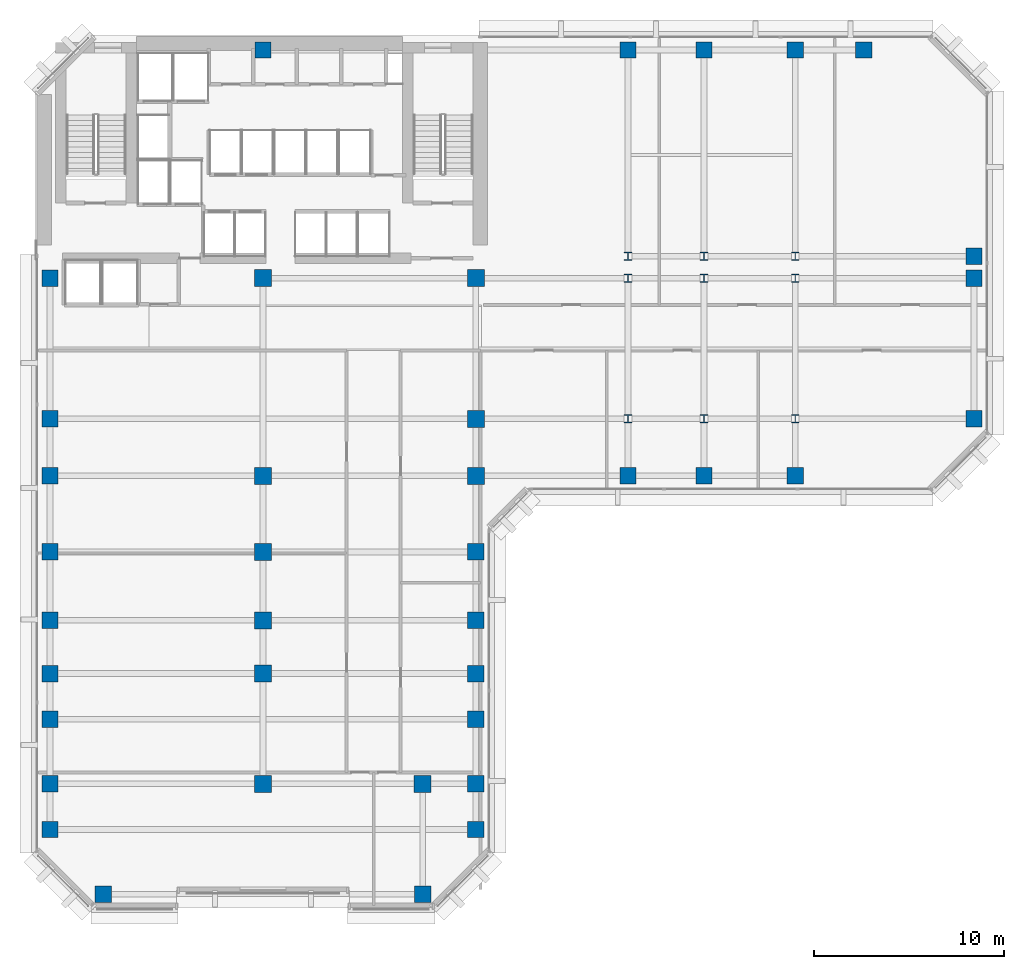
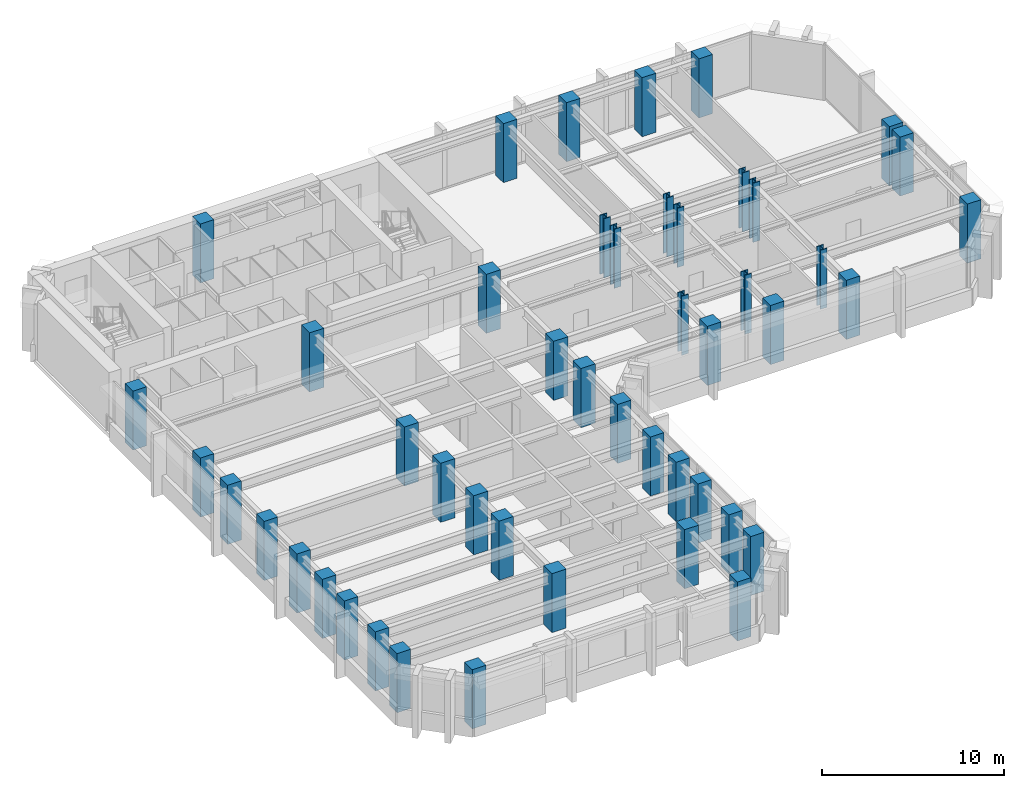
# One storey, part 1 of 12: 47 columns.
"""IFC4 building model written with IfcOpenShell, lengths in metres."""

from ifc_helpers import new_model, si_unit, direction, frame, origin, origin_2d, place, context, subcontext, project, spatial, rectangle, i_section, extrude, material, material_profile, profile_set, type_object, element, save


model = new_model("IFC4")

# Units and contexts
model_context = context("Model", 3, precision=1e-05, world=origin(), true_north=direction((0.0, 1.0)))
body_context = subcontext(model_context, "Body", "Model", "MODEL_VIEW")
ifc_project = project(units=[si_unit("LENGTHUNIT", "METRE"), si_unit("AREAUNIT", "SQUARE_METRE"), si_unit("VOLUMEUNIT", "CUBIC_METRE"), si_unit("PLANEANGLEUNIT", "RADIAN"), si_unit("MASSUNIT", "GRAM", prefix="KILO")], contexts=[model_context])

# Site, building, storey
site_placement = place(None, origin())
site = spatial("IfcSite", under=ifc_project, at=site_placement, CompositionType="ELEMENT")
building_placement = place(site_placement, origin())
building = spatial("IfcBuilding", under=site, at=building_placement, Name="Kefirva Bronze Tower", CompositionType="ELEMENT")
storey_placement = place(building_placement, frame((0.0, 0.0, 118.469970703125)))
storey = spatial("IfcBuildingStorey", under=building, at=storey_placement, Name="L28", CompositionType="ELEMENT", Elevation=118.469970703125)

# Columns
ifc_material_1 = material(Name="Concrete C60/75", Category="concrete")
ifc_material_profile_1 = material_profile(ifc_material_1, rectangle(XDim=0.860107421875, YDim=0.860107421875, at=origin_2d()), Name="RC 860x860")
ifc_profile_set_1 = profile_set([ifc_material_profile_1], Name="Concrete C60/75")
column_type_1 = type_object("IfcColumnType", Name="RC Column 860x860 Ext", PredefinedType="COLUMN", material=ifc_profile_set_1)
for number, where, z_axis, x_axis, name in (
    (1, (0.800048828125, 4.199951171875, 0.0), (0.0, 0.0, 1.0), (1.0, 0.0, 0.0), "L28 Column C008_042"),
    (2, (0.800048828125, 6.60009765625, 0.0), (0.0, 0.0, 1.0), (1.0, 0.0, 0.0), "L28 Column C008_066"),
    (3, (0.800048828125, 10.0, 0.0), (0.0, 0.0, 1.0), (1.0, 0.0, 0.0), "L28 Column C008_100"),
    (4, (0.800048828125, 12.39990234375, 0.0), (0.0, 0.0, 1.0), (1.0, 0.0, 0.0), "L28 Column C008_124"),
    (5, (0.800048828125, 15.199951171875, 0.0), (0.0, 0.0, 1.0), (1.0, 0.0, 0.0), "L28 Column C008_152"),
    (6, (0.800048828125, 18.800048828125, 0.0), (0.0, 0.0, 1.0), (1.0, 0.0, 0.0), "L28 Column C008_188"),
    (7, (0.800048828125, 22.800048828125, 0.0), (0.0, 0.0, 1.0), (1.0, 0.0, 0.0), "L28 Column C008_228"),
    (8, (0.800048828125, 25.800048828125, 0.0), (0.0, 0.0, 1.0), (1.0, 0.0, 0.0), "L28 Column C008_258"),
    (9, (0.800048828125, 33.199951171875, 0.0), (0.0, 0.0, 1.0), (1.0, 0.0, 0.0), "L28 Column C008_332"),
    (10, (3.60009765625, 0.800048828125, 0.0), (0.0, 0.0, 1.0), (1.0, 0.0, 0.0), "L28 Column C036_008"),
    (11, (12.0, 45.199951171875, 0.0), (0.0, 0.0, 1.0), (1.0, 0.0, 0.0), "L28 Column C120_452"),
    (12, (20.39990234375, 0.800048828125, 0.0), (0.0, 0.0, 1.0), (1.0, 0.0, 0.0), "L28 Column C204_008"),
    (13, (23.199951171875, 4.199951171875, 0.0), (0.0, 0.0, 1.0), (1.0, 0.0, 0.0), "L28 Column C232_042"),
    (14, (23.199951171875, 6.60009765625, 0.0), (0.0, 0.0, 1.0), (1.0, 0.0, 0.0), "L28 Column C232_066"),
    (15, (23.199951171875, 10.0, 0.0), (0.0, 0.0, 1.0), (1.0, 0.0, 0.0), "L28 Column C232_100"),
    (16, (23.199951171875, 12.39990234375, 0.0), (0.0, 0.0, 1.0), (1.0, 0.0, 0.0), "L28 Column C232_124"),
    (17, (23.199951171875, 15.199951171875, 0.0), (0.0, 0.0, 1.0), (1.0, 0.0, 0.0), "L28 Column C232_152"),
    (18, (23.199951171875, 18.800048828125, 0.0), (0.0, 0.0, 1.0), (1.0, 0.0, 0.0), "L28 Column C232_188"),
    (19, (31.199951171875, 22.800048828125, 0.0), (0.0, 0.0, 1.0), (1.0, 0.0, 0.0), "L28 Column C312_228"),
    (20, (31.199951171875, 45.199951171875, 0.0), (0.0, 0.0, 1.0), (1.0, 0.0, 0.0), "L28 Column C312_452"),
    (21, (35.199951171875, 22.800048828125, 0.0), (0.0, 0.0, 1.0), (1.0, 0.0, 0.0), "L28 Column C352_228"),
    (22, (35.199951171875, 45.199951171875, 0.0), (0.0, 0.0, 1.0), (1.0, 0.0, 0.0), "L28 Column C352_452"),
    (23, (40.0, 22.800048828125, 0.0), (0.0, 0.0, 1.0), (1.0, 0.0, 0.0), "L28 Column C400_228"),
    (24, (40.0, 45.199951171875, 0.0), (0.0, 0.0, 1.0), (1.0, 0.0, 0.0), "L28 Column C400_452"),
    (25, (43.60009765625, 45.199951171875, 0.0), (0.0, 0.0, 1.0), (1.0, 0.0, 0.0), "L28 Column C436_452"),
    (26, (49.39990234375, 25.800048828125, 0.0), (0.0, 0.0, 1.0), (1.0, 0.0, 0.0), "L28 Column C494_258"),
    (27, (49.39990234375, 33.199951171875, 0.0), (0.0, 0.0, 1.0), (1.0, 0.0, 0.0), "L28 Column C494_332"),
    (28, (49.39990234375, 34.35009765625, 0.0), (0.0, 0.0, 1.0), (1.0, 0.0, 0.0), "L28 Column C494_344"),
):
    element("IfcColumn", number, at=place(storey_placement, frame(where, z_axis=z_axis, x_axis=x_axis)), inside=storey, type_object=column_type_1, Name=name, PredefinedType="COLUMN", context=body_context, shape_type="SweptSolid", body=[
        extrude(rectangle(XDim=0.860107421875, YDim=0.860107421875, at=origin_2d()), origin(), (0.0, 0.0, 1.0), 3.9599609375),
    ])
ifc_material_profile_2 = material_profile(ifc_material_1, rectangle(XDim=0.89990234375, YDim=0.89990234375, at=origin_2d()), Name="RC 900x900")
ifc_profile_set_2 = profile_set([ifc_material_profile_2], Name="Concrete C60/75")
column_type_2 = type_object("IfcColumnType", Name="RC Column 900x900 Int", PredefinedType="COLUMN", material=ifc_profile_set_2)
for number, where, z_axis, x_axis, name in (
    (29, (12.0, 6.60009765625, 0.0), (0.0, 0.0, 1.0), (1.0, 0.0, 0.0), "L28 Column C120_066"),
    (30, (12.0, 12.39990234375, 0.0), (0.0, 0.0, 1.0), (1.0, 0.0, 0.0), "L28 Column C120_124"),
    (31, (12.0, 15.199951171875, 0.0), (0.0, 0.0, 1.0), (1.0, 0.0, 0.0), "L28 Column C120_152"),
    (32, (12.0, 18.800048828125, 0.0), (0.0, 0.0, 1.0), (1.0, 0.0, 0.0), "L28 Column C120_188"),
    (33, (12.0, 22.800048828125, 0.0), (0.0, 0.0, 1.0), (1.0, 0.0, 0.0), "L28 Column C120_228"),
    (34, (12.0, 33.199951171875, 0.0), (0.0, 0.0, 1.0), (1.0, 0.0, 0.0), "L28 Column C120_332"),
    (35, (20.39990234375, 6.60009765625, 0.0), (0.0, 0.0, 1.0), (1.0, 0.0, 0.0), "L28 Column C204_066"),
    (36, (23.199951171875, 22.800048828125, 0.0), (0.0, 0.0, 1.0), (1.0, 0.0, 0.0), "L28 Column C232_228"),
    (37, (23.199951171875, 25.800048828125, 0.0), (0.0, 0.0, 1.0), (1.0, 0.0, 0.0), "L28 Column C232_258"),
    (38, (23.199951171875, 33.199951171875, 0.0), (0.0, 0.0, 1.0), (1.0, 0.0, 0.0), "L28 Column C232_332"),
):
    element("IfcColumn", number, at=place(storey_placement, frame(where, z_axis=z_axis, x_axis=x_axis)), inside=storey, type_object=column_type_2, Name=name, PredefinedType="COLUMN", context=body_context, shape_type="SweptSolid", body=[
        extrude(rectangle(XDim=0.89990234375, YDim=0.89990234375, at=origin_2d()), origin(), (0.0, 0.0, 1.0), 3.9599609375),
    ])
ifc_material_2 = material(Name="Steel S460", Category="steel")
ifc_material_profile_3 = material_profile(ifc_material_2, i_section(OverallWidth=0.41796875, OverallDepth=0.455078125, WebThickness=0.031982421875, FlangeThickness=0.051025390625, at=origin_2d()), Name="HD 400x551")
ifc_profile_set_3 = profile_set([ifc_material_profile_3], Name="Steel S460")
column_type_3 = type_object("IfcColumnType", Name="Steel Column HD 400x551", PredefinedType="COLUMN", material=ifc_profile_set_3)
for number, where, z_axis, x_axis, name in (
    (39, (31.199951171875, 25.800048828125, 0.0), (0.0, 0.0, 1.0), (1.0, 0.0, 0.0), "L28 Column C312_258"),
    (40, (31.199951171875, 33.199951171875, 0.0), (0.0, 0.0, 1.0), (1.0, 0.0, 0.0), "L28 Column C312_332"),
    (41, (31.199951171875, 34.35009765625, 0.0), (0.0, 0.0, 1.0), (1.0, 0.0, 0.0), "L28 Column C312_344"),
    (42, (35.199951171875, 25.800048828125, 0.0), (0.0, 0.0, 1.0), (1.0, 0.0, 0.0), "L28 Column C352_258"),
    (43, (35.199951171875, 33.199951171875, 0.0), (0.0, 0.0, 1.0), (1.0, 0.0, 0.0), "L28 Column C352_332"),
    (44, (35.199951171875, 34.35009765625, 0.0), (0.0, 0.0, 1.0), (1.0, 0.0, 0.0), "L28 Column C352_344"),
    (45, (40.0, 25.800048828125, 0.0), (0.0, 0.0, 1.0), (1.0, 0.0, 0.0), "L28 Column C400_258"),
    (46, (40.0, 33.199951171875, 0.0), (0.0, 0.0, 1.0), (1.0, 0.0, 0.0), "L28 Column C400_332"),
    (47, (40.0, 34.35009765625, 0.0), (0.0, 0.0, 1.0), (1.0, 0.0, 0.0), "L28 Column C400_344"),
):
    element("IfcColumn", number, at=place(storey_placement, frame(where, z_axis=z_axis, x_axis=x_axis)), inside=storey, type_object=column_type_3, Name=name, PredefinedType="COLUMN", context=body_context, shape_type="SweptSolid", body=[
        extrude(i_section(OverallWidth=0.41796875, OverallDepth=0.455078125, WebThickness=0.031982421875, FlangeThickness=0.051025390625, at=origin_2d()), origin(), (0.0, 0.0, 1.0), 3.9599609375),
    ])

save(model, "model.ifc")
